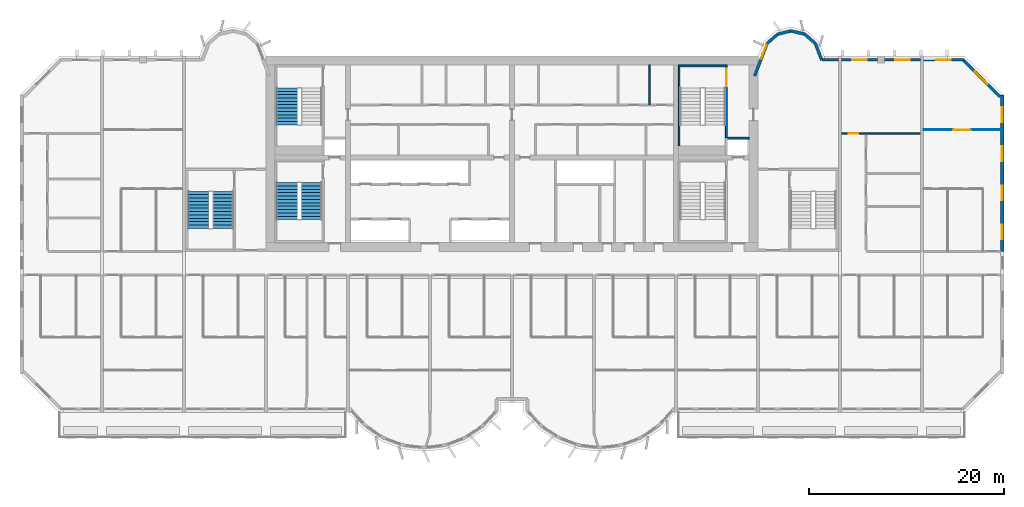
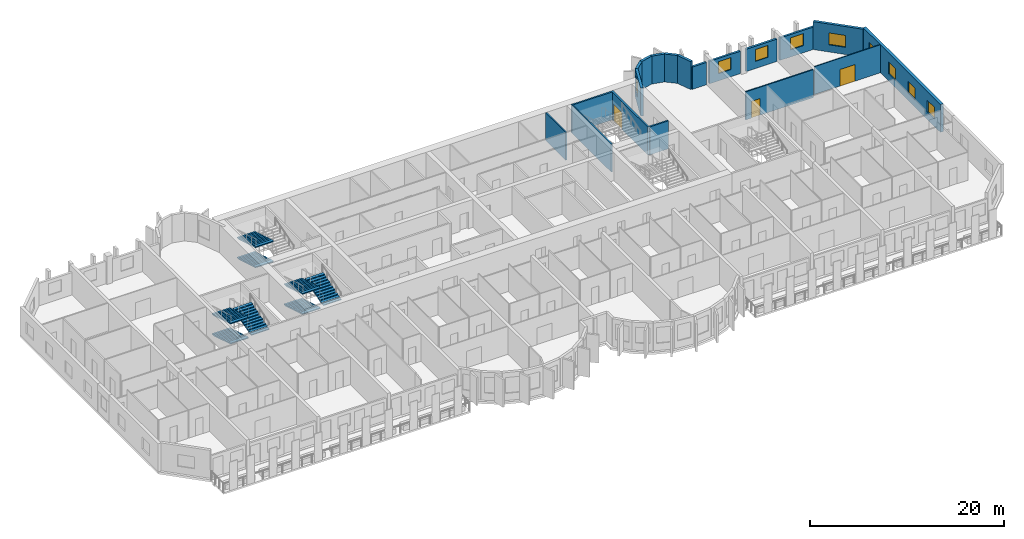
# One storey, part 11 of 15: 19 walls, 9 windows, 8 stair flights, 3 doors, 12 openings, 3 elements without a shape of their own.
"""IFC4 building model written with IfcOpenShell, lengths in metres."""

from ifc_helpers import new_model, si_unit, direction, frame, frame_2d, origin, place, context, subcontext, project, spatial, polyline, rectangle, outline, extrude, source, transform, mapped, material, layer, layer_set, type_object, element, fill, aggregate, save


model = new_model("IFC4")

# Units and contexts
model_context = context("Model", 3, precision=1e-05, world=origin(), true_north=direction((0.0, 1.0)))
body_context = subcontext(model_context, "Body", "Model", "MODEL_VIEW")
ifc_project = project(units=[si_unit("LENGTHUNIT", "METRE"), si_unit("AREAUNIT", "SQUARE_METRE"), si_unit("VOLUMEUNIT", "CUBIC_METRE"), si_unit("PLANEANGLEUNIT", "RADIAN"), si_unit("MASSUNIT", "GRAM", prefix="KILO")], contexts=[model_context])

# Site, building, storey
site_placement = place(None, origin())
site = spatial("IfcSite", under=ifc_project, at=site_placement, CompositionType="ELEMENT")
building_placement = place(site_placement, origin())
building = spatial("IfcBuilding", under=site, at=building_placement, Name="Vanashikhar Sky Hotel", CompositionType="ELEMENT")
storey_placement = place(building_placement, frame((0.0, 0.0, 133.199951171875)))
storey = spatial("IfcBuildingStorey", under=building, at=storey_placement, Name="L32", CompositionType="ELEMENT", Elevation=133.199951171875)

# Wall, openings, windows
ifc_material_1 = material(Name="Concrete M70", Category="concrete")
ifc_layer_1 = layer(ifc_material_1, 0.35009765625)
ifc_layer_set_1 = layer_set([ifc_layer_1], Name="RC shear wall 350 Concrete M70")
wall_type_1 = type_object("IfcWallType", Name="RC shear wall 350 Concrete M70", PredefinedType="SHEAR", material=ifc_layer_set_1)
shared_shape_1 = source(origin(), body_context, "Body", "SweptSolid", [
    extrude(rectangle(XDim=16.0, YDim=0.35009765625, at=frame_2d((8.0, 0.0))), origin(), (0.0, 0.0, 1.0), 3.52001953125),
])
wall_1_placement = place(storey_placement, frame((100.625, 22.0, 0.0), z_axis=(0.0, 0.0, 1.0), x_axis=(0.0, 1.0, 0.0)))
wall_1 = element("IfcWall", 1, at=wall_1_placement, inside=storey, type_object=wall_type_1, Name="CW-L32-XW13-2", PredefinedType="SHEAR", context=body_context, shape_type="MappedRepresentation", body=[
    mapped(shared_shape_1, transform((0.0, 0.0, 0.0), scale=1.0)),
])
shared_shape_2 = source(origin(), body_context, "Body", "SweptSolid", [
    extrude(rectangle(XDim=1.5, YDim=1.5, at=frame_2d((0.75, 0.75))), frame((0.0, 0.18505859375, 0.0), z_axis=(0.0, -1.0, 0.0), x_axis=(1.0, 0.0, 0.0)), (0.0, 0.0, 1.0), 0.3701171875),
])
opening_1_placement = place(wall_1_placement, frame((1.25, 0.0, 0.89990234375)))
opening_1 = element("IfcOpeningElement", 2, at=opening_1_placement, cuts=wall_1, Name="Opening WN-1", PredefinedType="OPENING", context=body_context, shape_type="MappedRepresentation", body=[
    mapped(shared_shape_2, transform((0.0, 0.0, 0.0), scale=1.0)),
])
opening_2_placement = place(wall_1_placement, frame((5.25, 0.0, 0.89990234375)))
opening_2 = element("IfcOpeningElement", 3, at=opening_2_placement, cuts=wall_1, Name="Opening WN-1", PredefinedType="OPENING", context=body_context, shape_type="MappedRepresentation", body=[
    mapped(shared_shape_2, transform((0.0, 0.0, 0.0), scale=1.0)),
])
opening_3_placement = place(wall_1_placement, frame((9.25, 0.0, 0.89990234375)))
opening_3 = element("IfcOpeningElement", 4, at=opening_3_placement, cuts=wall_1, Name="Opening WN-1", PredefinedType="OPENING", context=body_context, shape_type="MappedRepresentation", body=[
    mapped(shared_shape_2, transform((0.0, 0.0, 0.0), scale=1.0)),
])
opening_4_placement = place(wall_1_placement, frame((13.25, 0.0, 0.89990234375)))
opening_4 = element("IfcOpeningElement", 5, at=opening_4_placement, cuts=wall_1, Name="Opening WN-1", PredefinedType="OPENING", context=body_context, shape_type="MappedRepresentation", body=[
    mapped(shared_shape_2, transform((0.0, 0.0, 0.0), scale=1.0)),
])
ifc_material_2 = material(Name="Glass", Category="glass")
window_type_1 = type_object("IfcWindowType", Name="Window 1500 x 1500", PartitioningType="SINGLE_PANEL", PredefinedType="WINDOW", material=ifc_material_2)
shared_shape_3 = source(origin(), body_context, "Body", "SweptSolid", [
    extrude(rectangle(XDim=1.5, YDim=1.5, at=frame_2d((0.75, 0.75))), frame((0.0, 0.030029296875, 0.0), z_axis=(0.0, -1.0, 0.0), x_axis=(1.0, 0.0, 0.0)), (0.0, 0.0, 1.0), 0.06005859375),
])
window_1_placement = place(opening_1_placement, origin())
window_1 = element("IfcWindow", 6, at=window_1_placement, inside=storey, type_object=window_type_1, Name="Window WN-1", OverallHeight=1.5, OverallWidth=1.5, PartitioningType="SINGLE_PANEL", PredefinedType="WINDOW", context=body_context, shape_type="MappedRepresentation", body=[
    mapped(shared_shape_3, transform((0.0, 0.0, 0.0), scale=1.0)),
])
fill(opening_1, window_1)
window_2_placement = place(opening_2_placement, origin())
window_2 = element("IfcWindow", 7, at=window_2_placement, inside=storey, type_object=window_type_1, Name="Window WN-1", OverallHeight=1.5, OverallWidth=1.5, PartitioningType="SINGLE_PANEL", PredefinedType="WINDOW", context=body_context, shape_type="MappedRepresentation", body=[
    mapped(shared_shape_3, transform((0.0, 0.0, 0.0), scale=1.0)),
])
fill(opening_2, window_2)
window_3_placement = place(opening_3_placement, origin())
window_3 = element("IfcWindow", 8, at=window_3_placement, inside=storey, type_object=window_type_1, Name="Window WN-1", OverallHeight=1.5, OverallWidth=1.5, PartitioningType="SINGLE_PANEL", PredefinedType="WINDOW", context=body_context, shape_type="MappedRepresentation", body=[
    mapped(shared_shape_3, transform((0.0, 0.0, 0.0), scale=1.0)),
])
fill(opening_3, window_3)
window_4_placement = place(opening_4_placement, origin())
window_4 = element("IfcWindow", 9, at=window_4_placement, inside=storey, type_object=window_type_1, Name="Window WN-1", OverallHeight=1.5, OverallWidth=1.5, PartitioningType="SINGLE_PANEL", PredefinedType="WINDOW", context=body_context, shape_type="MappedRepresentation", body=[
    mapped(shared_shape_3, transform((0.0, 0.0, 0.0), scale=1.0)),
])
fill(opening_4, window_4)

# Wall, opening, window
ifc_material_3 = material(Name="Concrete M50", Category="concrete")
ifc_layer_2 = layer(ifc_material_3, 0.300048828125)
ifc_layer_set_2 = layer_set([ifc_layer_2], Name="Lobe wall 300")
wall_type_2 = type_object("IfcWallType", Name="Lobe wall 300", PredefinedType="SOLIDWALL", material=ifc_layer_set_2)
shared_shape_4 = source(origin(), body_context, "Body", "SweptSolid", [
    extrude(rectangle(XDim=5.32568359375, YDim=0.300048828125, at=frame_2d((2.662841796875, 0.0))), origin(), (0.0, 0.0, 1.0), 3.52001953125),
])
wall_2_placement = place(storey_placement, frame((100.39990234375, 37.834228515625, 0.0), z_axis=(0.0, 0.0, 1.0), x_axis=(-0.707083859269, 0.707129702361, 0.0)))
wall_2 = element("IfcWall", 10, at=wall_2_placement, inside=storey, type_object=wall_type_2, Name="Corner wall", PredefinedType="SOLIDWALL", context=body_context, shape_type="MappedRepresentation", body=[
    mapped(shared_shape_4, transform((0.0, 0.0, 0.0), scale=1.0)),
])
shared_shape_5 = source(origin(), body_context, "Body", "SweptSolid", [
    extrude(rectangle(XDim=1.800048828125, YDim=1.5, at=frame_2d((0.89990234375, 0.75))), frame((0.0, 0.16015625, 0.0), z_axis=(0.0, -1.0, 0.0), x_axis=(1.0, 0.0, 0.0)), (0.0, 0.0, 1.0), 0.320068359375),
])
opening_5_placement = place(wall_2_placement, frame((1.853759765625, 0.0, 0.89990234375)))
opening_5 = element("IfcOpeningElement", 11, at=opening_5_placement, cuts=wall_2, Name="Opening WN-4", PredefinedType="OPENING", context=body_context, shape_type="MappedRepresentation", body=[
    mapped(shared_shape_5, transform((0.0, 0.0, 0.0), scale=1.0)),
])
window_type_2 = type_object("IfcWindowType", Name="Corner window 1800 x 1500", PartitioningType="SINGLE_PANEL", PredefinedType="WINDOW", material=ifc_material_2)
shared_shape_6 = source(origin(), body_context, "Body", "SweptSolid", [
    extrude(rectangle(XDim=1.800048828125, YDim=1.5, at=frame_2d((0.89990234375, 0.75))), frame((0.0, 0.030029296875, 0.0), z_axis=(0.0, -1.0, 0.0), x_axis=(1.0, 0.0, 0.0)), (0.0, 0.0, 1.0), 0.06005859375),
])
window_5_placement = place(opening_5_placement, origin())
window_5 = element("IfcWindow", 12, at=window_5_placement, inside=storey, type_object=window_type_2, Name="Window WN-4", OverallHeight=1.5, OverallWidth=1.800048828125, PartitioningType="SINGLE_PANEL", PredefinedType="WINDOW", context=body_context, shape_type="MappedRepresentation", body=[
    mapped(shared_shape_6, transform((0.0, 0.0, 0.0), scale=1.0)),
])
fill(opening_5, window_5)

shared_shape_7 = source(origin(), body_context, "Body", "SweptSolid", [
    extrude(rectangle(XDim=3.55908203125, YDim=0.300048828125, at=frame_2d((1.779541015625, 0.0))), origin(), (0.0, 0.0, 1.0), 3.52001953125),
])
wall_3_placement = place(storey_placement, frame((76.5234375, 43.2919921875, 0.0), z_axis=(0.0, 0.0, 1.0), x_axis=(-0.35779745313, -0.933799219604, 0.0)))
wall_3 = element("IfcWall", 13, at=wall_3_placement, inside=storey, type_object=wall_type_2, Name="Lobe wall", PredefinedType="SOLIDWALL", context=body_context, shape_type="MappedRepresentation", body=[
    mapped(shared_shape_7, transform((0.0, 0.0, 0.0), scale=1.0)),
])
shared_shape_8 = source(origin(), body_context, "Body", "SweptSolid", [
    extrude(rectangle(XDim=1.5, YDim=2.0, at=frame_2d((0.75, 1.0))), frame((0.0, 0.16015625, 0.0), z_axis=(0.0, -1.0, 0.0), x_axis=(1.0, 0.0, 0.0)), (0.0, 0.0, 1.0), 0.320068359375),
])
opening_6_placement = place(wall_3_placement, frame((0.156005859375, 0.0, 0.89990234375)))
opening_6 = element("IfcOpeningElement", 14, at=opening_6_placement, cuts=wall_3, Name="Opening WN-2", PredefinedType="OPENING", context=body_context, shape_type="MappedRepresentation", body=[
    mapped(shared_shape_8, transform((0.0, 0.0, 0.0), scale=1.0)),
])
window_type_3 = type_object("IfcWindowType", Name="Lobe window 1500 x 2000", PartitioningType="SINGLE_PANEL", PredefinedType="WINDOW", material=ifc_material_2)
shared_shape_9 = source(origin(), body_context, "Body", "SweptSolid", [
    extrude(rectangle(XDim=1.5, YDim=2.0, at=frame_2d((0.75, 1.0))), frame((0.0, 0.030029296875, 0.0), z_axis=(0.0, -1.0, 0.0), x_axis=(1.0, 0.0, 0.0)), (0.0, 0.0, 1.0), 0.06005859375),
])
window_6_placement = place(opening_6_placement, origin())
window_6 = element("IfcWindow", 15, at=window_6_placement, inside=storey, type_object=window_type_3, Name="Window WN-2", OverallHeight=2.0, OverallWidth=1.5, PartitioningType="SINGLE_PANEL", PredefinedType="WINDOW", context=body_context, shape_type="MappedRepresentation", body=[
    mapped(shared_shape_9, transform((0.0, 0.0, 0.0), scale=1.0)),
])
fill(opening_6, window_6)

# Walls
shared_shape_10 = source(origin(), body_context, "Body", "SweptSolid", [
    extrude(rectangle(XDim=1.438720703125, YDim=0.300048828125, at=frame_2d((0.71923828125, 0.0))), origin(), (0.0, 0.0, 1.0), 3.52001953125),
])
for number, where, z_axis, x_axis, name in (
    (16, (80.397216796875, 44.2451171875, 0.0), (0.0, 0.0, 1.0), (-0.971161932466, 0.238420848351, 0.0), "Lobe wall"),
    (17, (79.0, 44.588134765625, 0.0), (0.0, 0.0, 1.0), (-0.971161932466, -0.238420848351, 0.0), "Lobe wall"),
):
    element("IfcWall", number, at=place(storey_placement, frame(where, z_axis=z_axis, x_axis=x_axis)), inside=storey, type_object=wall_type_2, Name=name, PredefinedType="SOLIDWALL", context=body_context, shape_type="MappedRepresentation", body=[
        mapped(shared_shape_10, transform((0.0, 0.0, 0.0), scale=1.0)),
    ])
shared_shape_11 = source(origin(), body_context, "Body", "SweptSolid", [
    extrude(rectangle(XDim=1.43994140625, YDim=0.300048828125, at=frame_2d((0.719970703125, 0.0))), origin(), (0.0, 0.0, 1.0), 3.52001953125),
])
for number, where, z_axis, x_axis, name in (
    (18, (81.4765625, 43.2919921875, 0.0), (0.0, 0.0, 1.0), (-0.74957555648, 0.661918790432, 0.0), "Lobe wall"),
    (19, (77.602783203125, 44.2451171875, 0.0), (0.0, 0.0, 1.0), (-0.74957555648, -0.661918790432, 0.0), "Lobe wall"),
):
    element("IfcWall", number, at=place(storey_placement, frame(where, z_axis=z_axis, x_axis=x_axis)), inside=storey, type_object=wall_type_2, Name=name, PredefinedType="SOLIDWALL", context=body_context, shape_type="MappedRepresentation", body=[
        mapped(shared_shape_11, transform((0.0, 0.0, 0.0), scale=1.0)),
    ])
shared_shape_12 = source(origin(), body_context, "Body", "SweptSolid", [
    extrude(rectangle(XDim=1.81201171875, YDim=0.300048828125, at=frame_2d((0.906005859375, 0.0))), origin(), (0.0, 0.0, 1.0), 3.52001953125),
])
wall_4_placement = place(storey_placement, frame((82.125, 41.60009765625, 0.0), z_axis=(0.0, 0.0, 1.0), x_axis=(-0.357877270961, 0.93376863244, 0.0)))
element("IfcWall", 20, at=wall_4_placement, inside=storey, type_object=wall_type_2, Name="Lobe wall", PredefinedType="SOLIDWALL", context=body_context, shape_type="MappedRepresentation", body=[
    mapped(shared_shape_12, transform((0.0, 0.0, 0.0), scale=1.0)),
])

# Wall, opening, window
ifc_layer_3 = layer(ifc_material_3, 0.25)
ifc_layer_set_3 = layer_set([ifc_layer_3], Name="Rear and end board-marked wall 250")
wall_type_3 = type_object("IfcWallType", Name="Rear and end board-marked wall 250", PredefinedType="SOLIDWALL", material=ifc_layer_set_3)
shared_shape_13 = source(origin(), body_context, "Body", "SweptSolid", [
    extrude(rectangle(XDim=4.06982421875, YDim=0.25, at=frame_2d((2.034912109375, 0.0))), origin(), (0.0, 0.0, 1.0), 2.820068359375),
])
wall_5_placement = place(storey_placement, frame((96.644775390625, 41.625, 0.0), z_axis=(0.0, 0.0, 1.0), x_axis=(-1.0, 0.0, 0.0)))
wall_5 = element("IfcWall", 21, at=wall_5_placement, inside=storey, type_object=wall_type_3, Name="Rear board-marked wall", PredefinedType="SOLIDWALL", context=body_context, shape_type="MappedRepresentation", body=[
    mapped(shared_shape_13, transform((0.0, 0.0, 0.0), scale=1.0)),
])
shared_shape_14 = source(origin(), body_context, "Body", "SweptSolid", [
    extrude(rectangle(XDim=1.5, YDim=1.5, at=frame_2d((0.75, 0.75))), frame((0.0, 0.135009765625, 0.0), z_axis=(0.0, -1.0, 0.0), x_axis=(1.0, 0.0, 0.0)), (0.0, 0.0, 1.0), 0.27001953125),
])
opening_7_placement = place(wall_5_placement, frame((1.284912109375, 0.0, 0.89990234375)))
opening_7 = element("IfcOpeningElement", 22, at=opening_7_placement, cuts=wall_5, Name="Opening WN-1", PredefinedType="OPENING", context=body_context, shape_type="MappedRepresentation", body=[
    mapped(shared_shape_14, transform((0.0, 0.0, 0.0), scale=1.0)),
])
window_7_placement = place(opening_7_placement, origin())
window_7 = element("IfcWindow", 23, at=window_7_placement, inside=storey, type_object=window_type_1, Name="Window WN-1", OverallHeight=1.5, OverallWidth=1.5, PartitioningType="SINGLE_PANEL", PredefinedType="WINDOW", context=body_context, shape_type="MappedRepresentation", body=[
    mapped(shared_shape_3, transform((0.0, 0.0, 0.0), scale=1.0)),
])
fill(opening_7, window_7)

shared_shape_15 = source(origin(), body_context, "Body", "SweptSolid", [
    extrude(rectangle(XDim=3.675048828125, YDim=0.25, at=frame_2d((1.83740234375, 0.0))), origin(), (0.0, 0.0, 1.0), 2.820068359375),
])
wall_6_placement = place(storey_placement, frame((87.85009765625, 41.625, 0.0), z_axis=(0.0, 0.0, 1.0), x_axis=(-1.0, 0.0, 0.0)))
wall_6 = element("IfcWall", 24, at=wall_6_placement, inside=storey, type_object=wall_type_3, Name="Rear board-marked wall", PredefinedType="SOLIDWALL", context=body_context, shape_type="MappedRepresentation", body=[
    mapped(shared_shape_15, transform((0.0, 0.0, 0.0), scale=1.0)),
])
opening_8_placement = place(wall_6_placement, frame((1.08740234375, 0.0, 0.89990234375)))
opening_8 = element("IfcOpeningElement", 25, at=opening_8_placement, cuts=wall_6, Name="Opening WN-1", PredefinedType="OPENING", context=body_context, shape_type="MappedRepresentation", body=[
    mapped(shared_shape_14, transform((0.0, 0.0, 0.0), scale=1.0)),
])
window_8_placement = place(opening_8_placement, origin())
window_8 = element("IfcWindow", 26, at=window_8_placement, inside=storey, type_object=window_type_1, Name="Window WN-1", OverallHeight=1.5, OverallWidth=1.5, PartitioningType="SINGLE_PANEL", PredefinedType="WINDOW", context=body_context, shape_type="MappedRepresentation", body=[
    mapped(shared_shape_3, transform((0.0, 0.0, 0.0), scale=1.0)),
])
fill(opening_8, window_8)

wall_7_placement = place(storey_placement, frame((92.22509765625, 41.625, 0.0), z_axis=(0.0, 0.0, 1.0), x_axis=(-1.0, 0.0, 0.0)))
wall_7 = element("IfcWall", 27, at=wall_7_placement, inside=storey, type_object=wall_type_3, Name="Rear board-marked wall", PredefinedType="SOLIDWALL", context=body_context, shape_type="MappedRepresentation", body=[
    mapped(shared_shape_15, transform((0.0, 0.0, 0.0), scale=1.0)),
])
opening_9_placement = place(wall_7_placement, frame((1.08740234375, 0.0, 0.89990234375)))
opening_9 = element("IfcOpeningElement", 28, at=opening_9_placement, cuts=wall_7, Name="Opening WN-1", PredefinedType="OPENING", context=body_context, shape_type="MappedRepresentation", body=[
    mapped(shared_shape_14, transform((0.0, 0.0, 0.0), scale=1.0)),
])
window_9_placement = place(opening_9_placement, origin())
window_9 = element("IfcWindow", 29, at=window_9_placement, inside=storey, type_object=window_type_1, Name="Window WN-1", OverallHeight=1.5, OverallWidth=1.5, PartitioningType="SINGLE_PANEL", PredefinedType="WINDOW", context=body_context, shape_type="MappedRepresentation", body=[
    mapped(shared_shape_3, transform((0.0, 0.0, 0.0), scale=1.0)),
])
fill(opening_9, window_9)

# Walls
shared_shape_16 = source(origin(), body_context, "Body", "SweptSolid", [
    extrude(rectangle(XDim=1.682861328125, YDim=0.25, at=frame_2d((0.84130859375, 0.0))), origin(), (0.0, 0.0, 1.0), 2.820068359375),
])
wall_8_placement = place(storey_placement, frame((83.824951171875, 41.625, 0.0), z_axis=(0.0, 0.0, 1.0), x_axis=(-1.0, 0.0, 0.0)))
element("IfcWall", 30, at=wall_8_placement, inside=storey, type_object=wall_type_3, Name="Rear board-marked wall", PredefinedType="SOLIDWALL", context=body_context, shape_type="MappedRepresentation", body=[
    mapped(shared_shape_16, transform((0.0, 0.0, 0.0), scale=1.0)),
])
ifc_material_4 = material(Name="Gypsum board partition")
ifc_layer_4 = layer(ifc_material_4, 0.14990234375)
ifc_layer_set_4 = layer_set([ifc_layer_4], Name="Service partition 150")
wall_type_4 = type_object("IfcWallType", Name="Service partition 150", PredefinedType="PARTITIONING", material=ifc_layer_set_4)
shared_shape_17 = source(origin(), body_context, "Body", "SweptSolid", [
    extrude(rectangle(XDim=4.10009765625, YDim=0.14990234375, at=frame_2d((2.050048828125, 0.0))), origin(), (0.0, 0.0, 1.0), 3.52001953125),
])
wall_9_placement = place(storey_placement, frame((64.5048828125, 37.0, 0.0), z_axis=(0.0, 0.0, 1.0), x_axis=(0.0, 1.0, 0.0)))
element("IfcWall", 31, at=wall_9_placement, inside=storey, type_object=wall_type_4, Name="Service partition 150", PredefinedType="PARTITIONING", context=body_context, shape_type="MappedRepresentation", body=[
    mapped(shared_shape_17, transform((0.0, 0.0, 0.0), scale=1.0)),
])

# Wall, opening, door
ifc_layer_5 = layer(ifc_material_3, 0.199951171875)
ifc_layer_set_5 = layer_set([ifc_layer_5], Name="Stair wall 200")
wall_type_5 = type_object("IfcWallType", Name="Stair wall 200", PredefinedType="SOLIDWALL", material=ifc_layer_set_5)
shared_shape_18 = source(origin(), body_context, "Body", "SweptSolid", [
    extrude(rectangle(XDim=7.5, YDim=0.199951171875, at=frame_2d((3.75, 0.0))), origin(), (0.0, 0.0, 1.0), 3.52001953125),
])
wall_10_placement = place(storey_placement, frame((72.35009765625, 33.60009765625, 0.0), z_axis=(0.0, 0.0, 1.0), x_axis=(0.0, 1.0, 0.0)))
wall_10 = element("IfcWall", 32, at=wall_10_placement, inside=storey, type_object=wall_type_5, Name="Stair wall 200", PredefinedType="SOLIDWALL", context=body_context, shape_type="MappedRepresentation", body=[
    mapped(shared_shape_18, transform((0.0, 0.0, 0.0), scale=1.0)),
])
shared_shape_19 = source(origin(), body_context, "Body", "SweptSolid", [
    extrude(rectangle(XDim=1.800048828125, YDim=2.10009765625, at=frame_2d((0.89990234375, 1.050048828125))), frame((0.0, 0.10986328125, 0.0), z_axis=(0.0, -1.0, 0.0), x_axis=(1.0, 0.0, 0.0)), (0.0, 0.0, 1.0), 0.219970703125),
])
opening_10_placement = place(wall_10_placement, frame((5.300048828125, 0.0, 0.0)))
opening_10 = element("IfcOpeningElement", 33, at=opening_10_placement, cuts=wall_10, Name="Opening DC-1-A", PredefinedType="OPENING", context=body_context, shape_type="MappedRepresentation", body=[
    mapped(shared_shape_19, transform((0.0, 0.0, 0.0), scale=1.0)),
])
ifc_material_5 = material(Name="Steel", Category="steel")
door_type_1 = type_object("IfcDoorType", Name="Stair door 1800 FD120", OperationType="NOTDEFINED", PredefinedType="DOOR", material=ifc_material_5)
shared_shape_20 = source(origin(), body_context, "Body", "SweptSolid", [
    extrude(rectangle(XDim=1.800048828125, YDim=2.10009765625, at=frame_2d((0.89990234375, 1.050048828125))), frame((0.0, 0.02490234375, 0.0), z_axis=(0.0, -1.0, 0.0), x_axis=(1.0, 0.0, 0.0)), (0.0, 0.0, 1.0), 0.050048828125),
])
door_1_placement = place(opening_10_placement, origin())
door_1 = element("IfcDoor", 34, at=door_1_placement, inside=storey, type_object=door_type_1, Name="Stair door 1800 FD120", OperationType="SINGLE_SWING_LEFT", OverallHeight=2.10009765625, OverallWidth=1.800048828125, PredefinedType="DOOR", context=body_context, shape_type="MappedRepresentation", body=[
    mapped(shared_shape_20, transform((0.0, 0.0, 0.0), scale=1.0)),
])
fill(opening_10, door_1)

# Walls
ifc_material_6 = material(Name="Concrete M40", Category="concrete")
ifc_layer_6 = layer(ifc_material_6, 0.199951171875)
ifc_layer_set_6 = layer_set([ifc_layer_6], Name="Shaft wall 200")
wall_type_6 = type_object("IfcWallType", Name="Shaft wall 200", PredefinedType="SOLIDWALL", material=ifc_layer_set_6)
shared_shape_21 = source(origin(), body_context, "Body", "SweptSolid", [
    extrude(rectangle(XDim=2.25, YDim=0.199951171875, at=frame_2d((1.125, 0.0))), origin(), (0.0, 0.0, 1.0), 3.52001953125),
])
wall_11_placement = place(storey_placement, frame((72.449951171875, 33.60009765625, 0.0), z_axis=(0.0, 0.0, 1.0), x_axis=(1.0, 0.0, 0.0)))
element("IfcWall", 35, at=wall_11_placement, inside=storey, type_object=wall_type_6, Name="Shaft wall 200", PredefinedType="SOLIDWALL", context=body_context, shape_type="MappedRepresentation", body=[
    mapped(shared_shape_21, transform((0.0, 0.0, 0.0), scale=1.0)),
])
ifc_layer_7 = layer(ifc_material_3, 0.199951171875)
ifc_layer_set_7 = layer_set([ifc_layer_7], Name="Stair infill wall 200")
wall_type_7 = type_object("IfcWallType", Name="Stair infill wall 200", PredefinedType="SOLIDWALL", material=ifc_layer_set_7)
shared_shape_22 = source(origin(), body_context, "Body", "SweptSolid", [
    extrude(rectangle(XDim=4.800048828125, YDim=0.199951171875, at=frame_2d((2.39990234375, 0.0))), origin(), (0.0, 0.0, 1.0), 3.52001953125),
])
wall_12_placement = place(storey_placement, frame((67.449951171875, 41.0, 0.0), z_axis=(0.0, 0.0, 1.0), x_axis=(1.0, 0.0, 0.0)))
element("IfcWall", 36, at=wall_12_placement, inside=storey, type_object=wall_type_7, Name="Stair infill wall 200", PredefinedType="SOLIDWALL", context=body_context, shape_type="MappedRepresentation", body=[
    mapped(shared_shape_22, transform((0.0, 0.0, 0.0), scale=1.0)),
])
ifc_layer_8 = layer(ifc_material_3, 0.14990234375)
ifc_layer_set_8 = layer_set([ifc_layer_8], Name="Stair infill wall 150")
wall_type_8 = type_object("IfcWallType", Name="Stair infill wall 150", PredefinedType="SOLIDWALL", material=ifc_layer_set_8)
shared_shape_23 = source(origin(), body_context, "Body", "SweptSolid", [
    extrude(rectangle(XDim=8.099853515625, YDim=0.14990234375, at=frame_2d((4.0498046875, 0.0))), origin(), (0.0, 0.0, 1.0), 3.52001953125),
])
wall_13_placement = place(storey_placement, frame((67.52490234375, 32.800048828125, 0.0), z_axis=(0.0, 0.0, 1.0), x_axis=(0.0, 1.0, 0.0)))
element("IfcWall", 37, at=wall_13_placement, inside=storey, type_object=wall_type_8, Name="Stair infill wall 150", PredefinedType="SOLIDWALL", context=body_context, shape_type="MappedRepresentation", body=[
    mapped(shared_shape_23, transform((0.0, 0.0, 0.0), scale=1.0)),
])

# Wall, opening, door
ifc_material_7 = material(Name="Gypsum plasterboard partition")
ifc_layer_9 = layer(ifc_material_7, 0.14990234375)
ifc_layer_set_9 = layer_set([ifc_layer_9], Name="Corridor and demising partition 150")
wall_type_9 = type_object("IfcWallType", Name="Corridor and demising partition 150", PredefinedType="PARTITIONING", material=ifc_layer_set_9)
shared_shape_24 = source(origin(), body_context, "Body", "SweptSolid", [
    extrude(rectangle(XDim=8.050048828125, YDim=0.14990234375, at=frame_2d((4.02490234375, 0.0))), origin(), (0.0, 0.0, 1.0), 3.52001953125),
])
wall_14_placement = place(storey_placement, frame((84.175048828125, 34.074951171875, 0.0), z_axis=(0.0, 0.0, 1.0), x_axis=(1.0, 0.0, 0.0)))
wall_14 = element("IfcWall", 38, at=wall_14_placement, inside=storey, type_object=wall_type_9, Name="W-L32-PW091", PredefinedType="PARTITIONING", context=body_context, shape_type="MappedRepresentation", body=[
    mapped(shared_shape_24, transform((0.0, 0.0, 0.0), scale=1.0)),
])
shared_shape_25 = source(origin(), body_context, "Body", "SweptSolid", [
    extrude(rectangle(XDim=1.0, YDim=2.10009765625, at=frame_2d((0.5, 1.050048828125))), frame((0.0, 0.0849609375, 0.0), z_axis=(0.0, -1.0, 0.0), x_axis=(1.0, 0.0, 0.0)), (0.0, 0.0, 1.0), 0.169921875),
])
opening_11_placement = place(wall_14_placement, frame((0.699951171875, 0.0, 0.0)))
opening_11 = element("IfcOpeningElement", 39, at=opening_11_placement, cuts=wall_14, Name="Opening D-01", PredefinedType="OPENING", context=body_context, shape_type="MappedRepresentation", body=[
    mapped(shared_shape_25, transform((0.0, 0.0, 0.0), scale=1.0)),
])
ifc_material_8 = material(Name="Timber fire door", Category="wood")
door_type_2 = type_object("IfcDoorType", Name="Guest entry door 1000 FD30S", OperationType="NOTDEFINED", PredefinedType="DOOR", material=ifc_material_8)
shared_shape_26 = source(origin(), body_context, "Body", "SweptSolid", [
    extrude(rectangle(XDim=1.0, YDim=2.10009765625, at=frame_2d((0.5, 1.050048828125))), frame((0.0, 0.02490234375, 0.0), z_axis=(0.0, -1.0, 0.0), x_axis=(1.0, 0.0, 0.0)), (0.0, 0.0, 1.0), 0.050048828125),
])
door_2_placement = place(opening_11_placement, origin())
door_2 = element("IfcDoor", 40, at=door_2_placement, inside=storey, type_object=door_type_2, Name="D-L32-056", OperationType="SINGLE_SWING_LEFT", OverallHeight=2.10009765625, OverallWidth=1.0, PredefinedType="DOOR", context=body_context, shape_type="MappedRepresentation", body=[
    mapped(shared_shape_26, transform((0.0, 0.0, 0.0), scale=1.0)),
])
fill(opening_11, door_2)

ifc_layer_10 = layer(ifc_material_7, 0.10009765625)
ifc_layer_set_10 = layer_set([ifc_layer_10], Name="Wet room partition 100")
wall_type_10 = type_object("IfcWallType", Name="Wet room partition 100", PredefinedType="PARTITIONING", material=ifc_layer_set_10)
shared_shape_27 = source(origin(), body_context, "Body", "SweptSolid", [
    extrude(rectangle(XDim=7.875, YDim=0.10009765625, at=frame_2d((3.9375, 0.0))), origin(), (0.0, 0.0, 1.0), 3.52001953125),
])
wall_15_placement = place(storey_placement, frame((92.574951171875, 34.452880859375, 0.0), z_axis=(0.0, 0.0, 1.0), x_axis=(1.0, 0.0, 0.0)))
wall_15 = element("IfcWall", 41, at=wall_15_placement, inside=storey, type_object=wall_type_10, Name="W-L32-PW096", PredefinedType="PARTITIONING", context=body_context, shape_type="MappedRepresentation", body=[
    mapped(shared_shape_27, transform((0.0, 0.0, 0.0), scale=1.0)),
])
shared_shape_28 = source(origin(), body_context, "Body", "SweptSolid", [
    extrude(rectangle(XDim=1.800048828125, YDim=2.10009765625, at=frame_2d((0.89990234375, 1.050048828125))), frame((0.0, 0.06005859375, 0.0), z_axis=(0.0, -1.0, 0.0), x_axis=(1.0, 0.0, 0.0)), (0.0, 0.0, 1.0), 0.1201171875),
])
opening_12_placement = place(wall_15_placement, frame((3.037109375, 0.0, 0.0)))
opening_12 = element("IfcOpeningElement", 42, at=opening_12_placement, cuts=wall_15, Name="Opening D-08", PredefinedType="OPENING", context=body_context, shape_type="MappedRepresentation", body=[
    mapped(shared_shape_28, transform((0.0, 0.0, 0.0), scale=1.0)),
])
ifc_material_9 = material(Name="Timber door", Category="wood")
door_type_3 = type_object("IfcDoorType", Name="Double leaf door 1800", OperationType="NOTDEFINED", PredefinedType="DOOR", material=ifc_material_9)
door_3_placement = place(opening_12_placement, origin())
door_3 = element("IfcDoor", 43, at=door_3_placement, inside=storey, type_object=door_type_3, Name="D-L32-059", OperationType="DOUBLE_DOOR_SINGLE_SWING", OverallHeight=2.10009765625, OverallWidth=1.800048828125, PredefinedType="DOOR", context=body_context, shape_type="MappedRepresentation", body=[
    mapped(shared_shape_20, transform((0.0, 0.0, 0.0), scale=1.0)),
])
fill(opening_12, door_3)

# Stair, stair flights
stair_type = type_object("IfcStairType", Name="Exit stair 2150", PredefinedType="DOUBLE_RETURN_STAIR", material=ifc_material_6)
stair_1_placement = place(storey_placement, origin())
stair_1 = element("IfcStair", 44, at=stair_1_placement, inside=storey, type_object=stair_type, Name="L32 Exit stair 1", PredefinedType="DOUBLE_RETURN_STAIR")
stair_flight_type = type_object("IfcStairFlightType", Name="Stair flight 2150", PredefinedType="STRAIGHT", material=ifc_material_6)
shared_shape_29 = source(origin(), body_context, "Body", "SweptSolid", [
    extrude(outline(polyline([(0.0, 0.0), (0.0, 0.10546875), (0.345458984375, 0.10546875), (0.345458984375, 0.211181640625), (0.69091796875, 0.211181640625), (0.69091796875, 0.316650390625), (1.036376953125, 0.316650390625), (1.036376953125, 0.422119140625), (1.3818359375, 0.422119140625), (1.3818359375, 0.52783203125), (1.727294921875, 0.52783203125), (1.727294921875, 0.63330078125), (2.07275390625, 0.63330078125), (2.07275390625, 0.73876953125), (2.418212890625, 0.73876953125), (2.418212890625, 0.844482421875), (2.763671875, 0.844482421875), (2.763671875, 0.949951171875), (3.109130859375, 0.949951171875), (3.109130859375, 1.0556640625), (3.45458984375, 1.0556640625), (3.45458984375, 1.1611328125), (3.800048828125, 1.1611328125), (3.800048828125, 1.2666015625), (3.800048828125, 1.035400390625), (0.4111328125, 0.0), (0.0, 0.0)])), frame((0.0, 1.074951171875, 0.0), z_axis=(0.0, -1.0, 0.0), x_axis=(1.0, 0.0, 0.0)), (0.0, 0.0, 1.0), 2.14990234375),
])
stair_flight_1_placement = place(storey_placement, frame((27.375, 29.050048828125, 0.0), z_axis=(0.0, 0.0, 1.0), x_axis=(0.0, -1.0, 0.0)))
stair_flight_1 = element("IfcStairFlight", 45, at=stair_flight_1_placement, type_object=stair_flight_type, Name="ST-C1 flight 1", NumberOfRisers=12, NumberOfTreads=11, PredefinedType="STRAIGHT", RiserHeight=0.105555556, TreadLength=0.345454545, context=body_context, shape_type="MappedRepresentation", body=[
    mapped(shared_shape_29, transform((0.0, 0.0, 0.0), scale=1.0)),
])
stair_flight_2_placement = place(storey_placement, frame((29.875, 25.25, 1.2666015625), z_axis=(0.0, 0.0, 1.0), x_axis=(0.0, 1.0, 0.0)))
stair_flight_2 = element("IfcStairFlight", 46, at=stair_flight_2_placement, type_object=stair_flight_type, Name="ST-C1 flight 2", NumberOfRisers=12, NumberOfTreads=11, PredefinedType="STRAIGHT", RiserHeight=0.105555556, TreadLength=0.345454545, context=body_context, shape_type="MappedRepresentation", body=[
    mapped(shared_shape_29, transform((0.0, 0.0, 0.0), scale=1.0)),
])
stair_flight_3_placement = place(storey_placement, frame((27.375, 29.050048828125, 2.533447265625), z_axis=(0.0, 0.0, 1.0), x_axis=(0.0, -1.0, 0.0)))
stair_flight_3 = element("IfcStairFlight", 47, at=stair_flight_3_placement, type_object=stair_flight_type, Name="ST-C1 flight 3", NumberOfRisers=12, NumberOfTreads=11, PredefinedType="STRAIGHT", RiserHeight=0.105555556, TreadLength=0.345454545, context=body_context, shape_type="MappedRepresentation", body=[
    mapped(shared_shape_29, transform((0.0, 0.0, 0.0), scale=1.0)),
])
aggregate(stair_1, [stair_flight_1, stair_flight_2, stair_flight_3])

stair_2_placement = place(storey_placement, origin())
stair_2 = element("IfcStair", 48, at=stair_2_placement, inside=storey, type_object=stair_type, Name="L32 Exit stair 3", PredefinedType="DOUBLE_RETURN_STAIR")
stair_flight_4_placement = place(storey_placement, frame((18.27490234375, 28.14990234375, 0.0), z_axis=(0.0, 0.0, 1.0), x_axis=(0.0, -1.0, 0.0)))
stair_flight_4 = element("IfcStairFlight", 49, at=stair_flight_4_placement, type_object=stair_flight_type, Name="ST-W flight 1", NumberOfRisers=12, NumberOfTreads=11, PredefinedType="STRAIGHT", RiserHeight=0.105555556, TreadLength=0.345454545, context=body_context, shape_type="MappedRepresentation", body=[
    mapped(shared_shape_29, transform((0.0, 0.0, 0.0), scale=1.0)),
])
stair_flight_5_placement = place(storey_placement, frame((20.77490234375, 24.35009765625, 1.2666015625), z_axis=(0.0, 0.0, 1.0), x_axis=(0.0, 1.0, 0.0)))
stair_flight_5 = element("IfcStairFlight", 50, at=stair_flight_5_placement, type_object=stair_flight_type, Name="ST-W flight 2", NumberOfRisers=12, NumberOfTreads=11, PredefinedType="STRAIGHT", RiserHeight=0.105555556, TreadLength=0.345454545, context=body_context, shape_type="MappedRepresentation", body=[
    mapped(shared_shape_29, transform((0.0, 0.0, 0.0), scale=1.0)),
])
stair_flight_6_placement = place(storey_placement, frame((18.27490234375, 28.14990234375, 2.533447265625), z_axis=(0.0, 0.0, 1.0), x_axis=(0.0, -1.0, 0.0)))
stair_flight_6 = element("IfcStairFlight", 51, at=stair_flight_6_placement, type_object=stair_flight_type, Name="ST-W flight 3", NumberOfRisers=12, NumberOfTreads=11, PredefinedType="STRAIGHT", RiserHeight=0.105555556, TreadLength=0.345454545, context=body_context, shape_type="MappedRepresentation", body=[
    mapped(shared_shape_29, transform((0.0, 0.0, 0.0), scale=1.0)),
])
aggregate(stair_2, [stair_flight_4, stair_flight_5, stair_flight_6])

stair_3_placement = place(storey_placement, origin())
stair_3 = element("IfcStair", 52, at=stair_3_placement, inside=storey, type_object=stair_type, Name="L32 Exit stair 5", PredefinedType="DOUBLE_RETURN_STAIR")
stair_flight_7_placement = place(storey_placement, frame((27.375, 38.75, 0.0), z_axis=(0.0, 0.0, 1.0), x_axis=(0.0, -1.0, 0.0)))
stair_flight_7 = element("IfcStairFlight", 53, at=stair_flight_7_placement, type_object=stair_flight_type, Name="ST-C3 flight 1", NumberOfRisers=12, NumberOfTreads=11, PredefinedType="STRAIGHT", RiserHeight=0.105555556, TreadLength=0.345454545, context=body_context, shape_type="MappedRepresentation", body=[
    mapped(shared_shape_29, transform((0.0, 0.0, 0.0), scale=1.0)),
])
stair_flight_8_placement = place(storey_placement, frame((27.375, 38.75, 2.533447265625), z_axis=(0.0, 0.0, 1.0), x_axis=(0.0, -1.0, 0.0)))
stair_flight_8 = element("IfcStairFlight", 54, at=stair_flight_8_placement, type_object=stair_flight_type, Name="ST-C3 flight 3", NumberOfRisers=12, NumberOfTreads=11, PredefinedType="STRAIGHT", RiserHeight=0.105555556, TreadLength=0.345454545, context=body_context, shape_type="MappedRepresentation", body=[
    mapped(shared_shape_29, transform((0.0, 0.0, 0.0), scale=1.0)),
])
aggregate(stair_3, [stair_flight_7, stair_flight_8])

save(model, "model.ifc")
